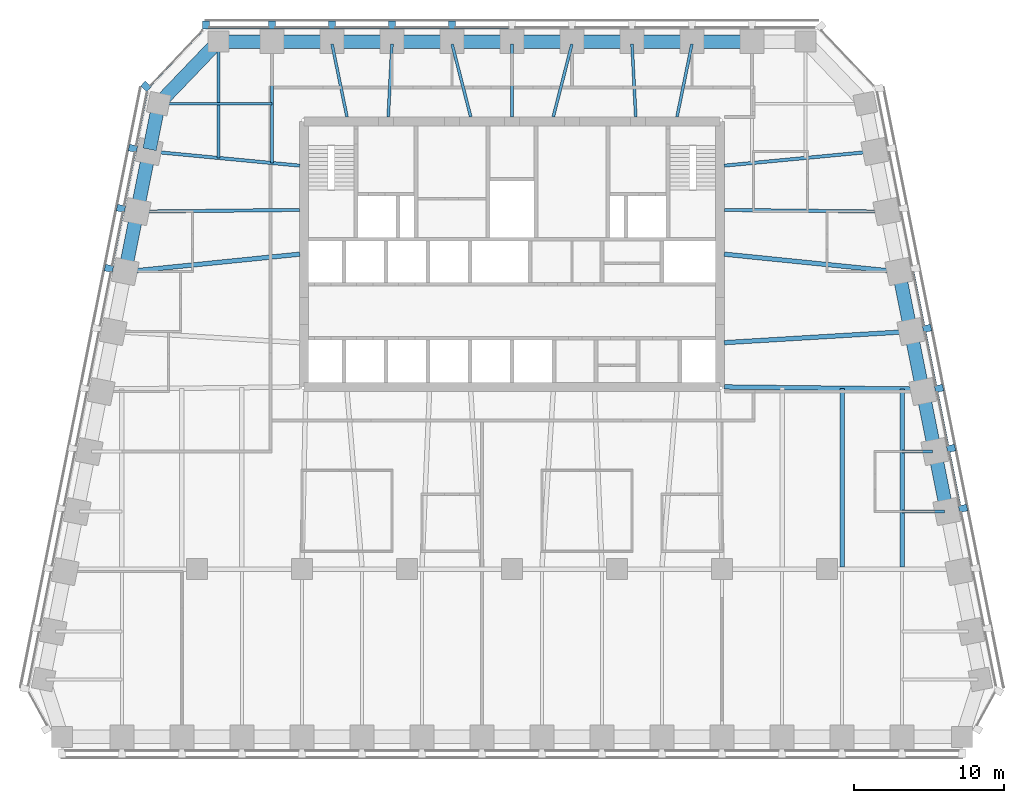
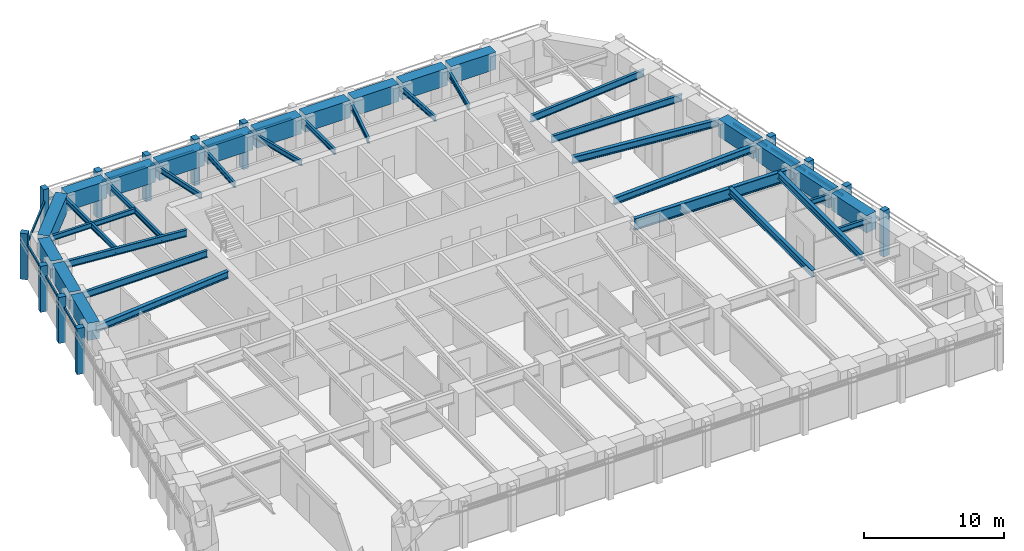
# One storey, part 3 of 10: 39 beams, 26 members, 4 elements without a shape of their own.
"""IFC4 building model written with IfcOpenShell, lengths in metres."""

from ifc_helpers import new_model, si_unit, direction, frame, origin, origin_2d, place, context, subcontext, project, spatial, rectangle, i_section, extrude, material, material_profile, profile_set, type_object, element, aggregate, save


model = new_model("IFC4")

# Units and contexts
model_context = context("Model", 3, precision=1e-05, world=origin(), true_north=direction((0.0, 1.0)))
body_context = subcontext(model_context, "Body", "Model", "MODEL_VIEW")
ifc_project = project(units=[si_unit("LENGTHUNIT", "METRE"), si_unit("AREAUNIT", "SQUARE_METRE"), si_unit("VOLUMEUNIT", "CUBIC_METRE"), si_unit("PLANEANGLEUNIT", "RADIAN"), si_unit("MASSUNIT", "GRAM", prefix="KILO")], contexts=[model_context])

# Site, building, storey
site_placement = place(None, origin())
site = spatial("IfcSite", under=ifc_project, at=site_placement, CompositionType="ELEMENT")
building_placement = place(site_placement, origin())
building = spatial("IfcBuilding", under=site, at=building_placement, Name="Isbrekke Arena Tower", CompositionType="ELEMENT")
storey_placement = place(building_placement, frame((0.0, 0.0, 226.0)))
storey = spatial("IfcBuildingStorey", under=building, at=storey_placement, Name="L52", CompositionType="ELEMENT", Elevation=226.0)

# Beams
ifc_material_1 = material(Name="Steel S355", Category="steel")
ifc_material_profile_1 = material_profile(ifc_material_1, i_section(OverallWidth=0.219970703125, OverallDepth=0.60009765625, WebThickness=0.011962890625, FlangeThickness=0.01904296875, FilletRadius=0.02392578125, at=origin_2d()), Name="IPE 600")
ifc_profile_set_1 = profile_set([ifc_material_profile_1], Name="Steel S355")
beam_type_1 = type_object("IfcBeamType", Name="B1 IPE 600", PredefinedType="BEAM", material=ifc_profile_set_1)
beam_1_placement = place(storey_placement, frame((24.83984375, 17.838134765625, 3.550048828125), z_axis=(-0.999945299061, 0.010459392202, 0.0), x_axis=(-0.010459392202, -0.999945299061, 0.0)))
element("IfcBeam", 1, at=beam_1_placement, inside=storey, type_object=beam_type_1, Name="B1 beam E-E09 L52", PredefinedType="BEAM", context=body_context, shape_type="SweptSolid", body=[
    extrude(i_section(OverallWidth=0.219970703125, OverallDepth=0.60009765625, WebThickness=0.011962890625, FlangeThickness=0.01904296875, FilletRadius=0.02392578125, at=origin_2d()), origin(), (0.0, 0.0, 1.0), 10.6904296875),
])
for number, where, z_axis, x_axis, name in (
    (2, (24.03076171875, 21.837158203125, 3.550048828125), (-0.99553133081, -0.094431823952, 0.0), (0.094431823952, -0.99553133081, 0.0), "B1 beam E-E10 L52"),
    (3, (-24.03076171875, 21.837158203125, 3.550048828125), (0.99553133081, -0.094431823952, 0.0), (0.094431823952, 0.99553133081, 0.0), "B1 beam E-W02 L52"),
):
    element("IfcBeam", number, at=place(storey_placement, frame(where, z_axis=z_axis, x_axis=x_axis)), inside=storey, type_object=beam_type_1, Name=name, PredefinedType="BEAM", context=body_context, shape_type="SweptSolid", body=[
        extrude(i_section(OverallWidth=0.219970703125, OverallDepth=0.60009765625, WebThickness=0.011962890625, FlangeThickness=0.01904296875, FilletRadius=0.02392578125, at=origin_2d()), origin(), (0.0, 0.0, 1.0), 9.92529296875),
    ])
beam_2_placement = place(storey_placement, frame((-24.83984375, 17.838134765625, 3.550048828125), z_axis=(0.999945299061, 0.010459392202, 0.0), x_axis=(-0.010459392202, 0.999945299061, 0.0)))
element("IfcBeam", 4, at=beam_2_placement, inside=storey, type_object=beam_type_1, Name="B1 beam E-W03 L52", PredefinedType="BEAM", context=body_context, shape_type="SweptSolid", body=[
    extrude(i_section(OverallWidth=0.219970703125, OverallDepth=0.60009765625, WebThickness=0.011962890625, FlangeThickness=0.01904296875, FilletRadius=0.02392578125, at=origin_2d()), origin(), (0.0, 0.0, 1.0), 10.6904296875),
])
ifc_material_2 = material(Name="Steel S355", Category="steel")
ifc_material_profile_2 = material_profile(ifc_material_2, i_section(OverallWidth=0.18994140625, OverallDepth=0.449951171875, WebThickness=0.009521484375, FlangeThickness=0.0146484375, FilletRadius=0.02099609375, at=origin_2d()), Name="IPE 450")
ifc_profile_set_2 = profile_set([ifc_material_profile_2], Name="Steel S355")
beam_type_2 = type_object("IfcBeamType", Name="B2 IPE 450", PredefinedType="BEAM", material=ifc_profile_set_2)
beam_3_placement = place(storey_placement, frame((28.841064453125, -2.161865234375, 3.625), z_axis=(-1.0, 0.0, 0.0), x_axis=(0.0, -1.0, 0.0)))
element("IfcBeam", 5, at=beam_3_placement, inside=storey, type_object=beam_type_2, Name="B2 beam E-E04 L52", PredefinedType="BEAM", context=body_context, shape_type="SweptSolid", body=[
    extrude(i_section(OverallWidth=0.18994140625, OverallDepth=0.449951171875, WebThickness=0.009521484375, FlangeThickness=0.0146484375, FilletRadius=0.02099609375, at=origin_2d()), origin(), (0.0, 0.0, 1.0), 2.841064453125),
])
beam_4_placement = place(storey_placement, frame((28.041015625, 1.838134765625, 3.625), z_axis=(-1.0, 0.0, 0.0), x_axis=(0.0, -1.0, 0.0)))
element("IfcBeam", 6, at=beam_4_placement, inside=storey, type_object=beam_type_2, Name="B2 beam E-E05 L52", PredefinedType="BEAM", context=body_context, shape_type="SweptSolid", body=[
    extrude(i_section(OverallWidth=0.18994140625, OverallDepth=0.449951171875, WebThickness=0.009521484375, FlangeThickness=0.0146484375, FilletRadius=0.02099609375, at=origin_2d()), origin(), (0.0, 0.0, 1.0), 2.041015625),
])
beam_5_placement = place(storey_placement, frame((-23.40283203125, 25.029296875, 3.625), z_axis=(1.0, 0.0, 0.0), x_axis=(0.0, 1.0, 0.0)))
element("IfcBeam", 7, at=beam_5_placement, inside=storey, type_object=beam_type_2, Name="B2 beam E-W01 L52", PredefinedType="BEAM", context=body_context, shape_type="SweptSolid", body=[
    extrude(i_section(OverallWidth=0.18994140625, OverallDepth=0.449951171875, WebThickness=0.009521484375, FlangeThickness=0.0146484375, FilletRadius=0.02099609375, at=origin_2d()), origin(), (0.0, 0.0, 1.0), 7.40283203125),
])
ifc_material_3 = material(Name="Steel S355", Category="steel")
ifc_material_profile_3 = material_profile(ifc_material_3, i_section(OverallWidth=0.18994140625, OverallDepth=0.449951171875, WebThickness=0.009521484375, FlangeThickness=0.0146484375, FilletRadius=0.02099609375, at=origin_2d()), Name="IPE 450")
ifc_profile_set_3 = profile_set([ifc_material_profile_3], Name="Steel S355")
beam_type_3 = type_object("IfcBeamType", Name="B3 IPE 450", PredefinedType="BEAM", material=ifc_profile_set_3)
beam_6_placement = place(storey_placement, frame((-16.0, 29.02490234375, 3.625), z_axis=(0.0, -1.0, 0.0), x_axis=(1.0, 0.0, 0.0)))
element("IfcBeam", 8, at=beam_6_placement, inside=storey, type_object=beam_type_3, Name="B3 beam N-N10 L52", PredefinedType="BEAM", context=body_context, shape_type="SweptSolid", body=[
    extrude(i_section(OverallWidth=0.18994140625, OverallDepth=0.449951171875, WebThickness=0.009521484375, FlangeThickness=0.0146484375, FilletRadius=0.02099609375, at=origin_2d()), origin(), (0.0, 0.0, 1.0), 7.949462890625),
])
beam_7_placement = place(storey_placement, frame((-19.574951171875, 29.02490234375, 3.625), z_axis=(0.0, -1.0, 0.0), x_axis=(1.0, 0.0, 0.0)))
element("IfcBeam", 9, at=beam_7_placement, inside=storey, type_object=beam_type_3, Name="B3 beam N-N11 L52", PredefinedType="BEAM", context=body_context, shape_type="SweptSolid", body=[
    extrude(i_section(OverallWidth=0.18994140625, OverallDepth=0.449951171875, WebThickness=0.009521484375, FlangeThickness=0.0146484375, FilletRadius=0.02099609375, at=origin_2d()), origin(), (0.0, 0.0, 1.0), 7.6103515625),
])
beam_8_placement = place(storey_placement, frame((11.99609375, 29.00634765625, 3.625), z_axis=(-0.200924755878, -0.979606677435, 0.0), x_axis=(0.979606677435, -0.200924755878, 0.0)))
element("IfcBeam", 10, at=beam_8_placement, inside=storey, type_object=beam_type_3, Name="B3 beam N-N03 L52", PredefinedType="BEAM", context=body_context, shape_type="SweptSolid", body=[
    extrude(i_section(OverallWidth=0.18994140625, OverallDepth=0.449951171875, WebThickness=0.009521484375, FlangeThickness=0.0146484375, FilletRadius=0.02099609375, at=origin_2d()), origin(), (0.0, 0.0, 1.0), 4.95751953125),
])
beam_9_placement = place(storey_placement, frame((8.000244140625, 29.02001953125, 3.625), z_axis=(0.051216032312, -0.998687597817, 0.0), x_axis=(0.998687597817, 0.051216032312, 0.0)))
element("IfcBeam", 11, at=beam_9_placement, inside=storey, type_object=beam_type_3, Name="B3 beam N-N04 L52", PredefinedType="BEAM", context=body_context, shape_type="SweptSolid", body=[
    extrude(i_section(OverallWidth=0.18994140625, OverallDepth=0.449951171875, WebThickness=0.009521484375, FlangeThickness=0.0146484375, FilletRadius=0.02099609375, at=origin_2d()), origin(), (0.0, 0.0, 1.0), 4.87646484375),
])
beam_10_placement = place(storey_placement, frame((3.994140625, 29.002197265625, 3.625), z_axis=(-0.248368314686, -0.968665670012, 0.0), x_axis=(0.968665670012, -0.248368314686, 0.0)))
element("IfcBeam", 12, at=beam_10_placement, inside=storey, type_object=beam_type_3, Name="B3 beam N-N05 L52", PredefinedType="BEAM", context=body_context, shape_type="SweptSolid", body=[
    extrude(i_section(OverallWidth=0.18994140625, OverallDepth=0.449951171875, WebThickness=0.009521484375, FlangeThickness=0.0146484375, FilletRadius=0.02099609375, at=origin_2d()), origin(), (0.0, 0.0, 1.0), 5.00927734375),
])
beam_11_placement = place(storey_placement, frame((0.0, 29.02490234375, 3.625), z_axis=(0.0, -1.0, 0.0), x_axis=(1.0, 0.0, 0.0)))
element("IfcBeam", 13, at=beam_11_placement, inside=storey, type_object=beam_type_3, Name="B3 beam N-N06 L52", PredefinedType="BEAM", context=body_context, shape_type="SweptSolid", body=[
    extrude(i_section(OverallWidth=0.18994140625, OverallDepth=0.449951171875, WebThickness=0.009521484375, FlangeThickness=0.0146484375, FilletRadius=0.02099609375, at=origin_2d()), origin(), (0.0, 0.0, 1.0), 4.875),
])
beam_12_placement = place(storey_placement, frame((-3.994140625, 29.002197265625, 3.625), z_axis=(0.248368314686, -0.968665670012, 0.0), x_axis=(0.968665670012, 0.248368314686, 0.0)))
element("IfcBeam", 14, at=beam_12_placement, inside=storey, type_object=beam_type_3, Name="B3 beam N-N07 L52", PredefinedType="BEAM", context=body_context, shape_type="SweptSolid", body=[
    extrude(i_section(OverallWidth=0.18994140625, OverallDepth=0.449951171875, WebThickness=0.009521484375, FlangeThickness=0.0146484375, FilletRadius=0.02099609375, at=origin_2d()), origin(), (0.0, 0.0, 1.0), 5.00927734375),
])
beam_13_placement = place(storey_placement, frame((-8.000244140625, 29.02001953125, 3.625), z_axis=(-0.051216032312, -0.998687597817, 0.0), x_axis=(0.998687597817, -0.051216032312, 0.0)))
element("IfcBeam", 15, at=beam_13_placement, inside=storey, type_object=beam_type_3, Name="B3 beam N-N08 L52", PredefinedType="BEAM", context=body_context, shape_type="SweptSolid", body=[
    extrude(i_section(OverallWidth=0.18994140625, OverallDepth=0.449951171875, WebThickness=0.009521484375, FlangeThickness=0.0146484375, FilletRadius=0.02099609375, at=origin_2d()), origin(), (0.0, 0.0, 1.0), 4.87646484375),
])
beam_14_placement = place(storey_placement, frame((-11.99609375, 29.00634765625, 3.625), z_axis=(0.200924755878, -0.979606677435, 0.0), x_axis=(0.979606677435, 0.200924755878, 0.0)))
element("IfcBeam", 16, at=beam_14_placement, inside=storey, type_object=beam_type_3, Name="B3 beam N-N09 L52", PredefinedType="BEAM", context=body_context, shape_type="SweptSolid", body=[
    extrude(i_section(OverallWidth=0.18994140625, OverallDepth=0.449951171875, WebThickness=0.009521484375, FlangeThickness=0.0146484375, FilletRadius=0.02099609375, at=origin_2d()), origin(), (0.0, 0.0, 1.0), 4.95751953125),
])
ifc_material_4 = material(Name="Steel S355", Category="steel")
ifc_material_profile_4 = material_profile(ifc_material_4, i_section(OverallWidth=0.300048828125, OverallDepth=0.60009765625, WebThickness=0.015380859375, FlangeThickness=0.030029296875, FilletRadius=0.027099609375, at=origin_2d()), Name="HEB 600")
ifc_profile_set_4 = profile_set([ifc_material_profile_4], Name="Steel S355")
beam_type_4 = type_object("IfcBeamType", Name="B7 HEB 600", PredefinedType="BEAM", material=ifc_profile_set_4)
beam_15_placement = place(storey_placement, frame((22.0, -5.84912109375, 3.550048828125), z_axis=(0.0, 1.0, 0.0), x_axis=(-1.0, 0.0, 0.0)))
element("IfcBeam", 17, at=beam_15_placement, inside=storey, type_object=beam_type_4, Name="B7 beam C-M13 L52", PredefinedType="BEAM", context=body_context, shape_type="SweptSolid", body=[
    extrude(i_section(OverallWidth=0.300048828125, OverallDepth=0.60009765625, WebThickness=0.015380859375, FlangeThickness=0.030029296875, FilletRadius=0.027099609375, at=origin_2d()), origin(), (0.0, 0.0, 1.0), 11.91015625),
])
beam_16_placement = place(storey_placement, frame((26.0, -5.84912109375, 3.550048828125), z_axis=(0.0, 1.0, 0.0), x_axis=(-1.0, 0.0, 0.0)))
element("IfcBeam", 18, at=beam_16_placement, inside=storey, type_object=beam_type_4, Name="B7 beam C-M14 L52", PredefinedType="BEAM", context=body_context, shape_type="SweptSolid", body=[
    extrude(i_section(OverallWidth=0.300048828125, OverallDepth=0.60009765625, WebThickness=0.015380859375, FlangeThickness=0.030029296875, FilletRadius=0.027099609375, at=origin_2d()), origin(), (0.0, 0.0, 1.0), 11.864990234375),
])
beam_17_placement = place(storey_placement, frame((26.43212890625, 9.837646484375, 3.550048828125), z_axis=(-0.998201854902, -0.059942112659, 0.0), x_axis=(0.059942112659, -0.998201854902, 0.0)))
element("IfcBeam", 19, at=beam_17_placement, inside=storey, type_object=beam_type_4, Name="B7 beam E-E07 L52", PredefinedType="BEAM", context=body_context, shape_type="SweptSolid", body=[
    extrude(i_section(OverallWidth=0.300048828125, OverallDepth=0.60009765625, WebThickness=0.015380859375, FlangeThickness=0.030029296875, FilletRadius=0.027099609375, at=origin_2d()), origin(), (0.0, 0.0, 1.0), 12.304443359375),
])
for number, where, z_axis, x_axis, name in (
    (20, (25.6259765625, 13.83984375, 3.550048828125), (-0.994928891111, 0.100580821396, 0.0), (-0.100580821396, -0.994928891111, 0.0), "B7 beam E-E08 L52"),
    (21, (-25.6259765625, 13.83984375, 3.550048828125), (0.994928891111, 0.100580821396, 0.0), (-0.100580821396, 0.994928891111, 0.0), "B7 beam E-W04 L52"),
):
    element("IfcBeam", number, at=place(storey_placement, frame(where, z_axis=z_axis, x_axis=x_axis)), inside=storey, type_object=beam_type_4, Name=name, PredefinedType="BEAM", context=body_context, shape_type="SweptSolid", body=[
        extrude(i_section(OverallWidth=0.300048828125, OverallDepth=0.60009765625, WebThickness=0.015380859375, FlangeThickness=0.030029296875, FilletRadius=0.027099609375, at=origin_2d()), origin(), (0.0, 0.0, 1.0), 11.53466796875),
    ])

# Curtain wall, members
ifc_material_5 = material(Name="Glazed aluminium curtain wall", Category="aluminium")
curtain_wall_type = type_object("IfcCurtainWallType", Name="CWH TOWER CURTAIN WALL HIGH ZONE", PredefinedType="USERDEFINED", material=ifc_material_5)
curtain_wall_1_placement = place(storey_placement, origin())
curtain_wall_1 = element("IfcCurtainWall", 22, at=curtain_wall_1_placement, inside=storey, type_object=curtain_wall_type, Name="CWH curtain wall L52-E", ObjectType="TOWER CURTAIN WALL HIGH ZONE", PredefinedType="USERDEFINED")
ifc_material_6 = material(Name="Aluminium mullion, pale brick slip cladding", Category="masonry")
ifc_material_profile_5 = material_profile(ifc_material_6, rectangle(XDim=0.449951171875, YDim=0.550048828125, at=origin_2d()), Name="PIER 450X550")
ifc_profile_set_5 = profile_set([ifc_material_profile_5], Name="Aluminium mullion, pale brick slip cladding")
member_type_1 = type_object("IfcMemberType", Name="CWH-M PIER MULLION 450 x 550", PredefinedType="MULLION", material=ifc_profile_set_5)
member_1_placement = place(storey_placement, frame((30.069580078125, -1.946044921875, 0.0), z_axis=(0.0, 0.0, 1.0), x_axis=(-0.196116135138, 0.980580675691, 0.0)))
member_1 = element("IfcMember", 23, at=member_1_placement, type_object=member_type_1, Name="CWH-M mullion 3", PredefinedType="MULLION", context=body_context, shape_type="SweptSolid", body=[
    extrude(rectangle(XDim=0.449951171875, YDim=0.550048828125, at=origin_2d()), origin(), (0.0, 0.0, 1.0), 4.0),
])
member_2_placement = place(storey_placement, frame((29.269775390625, 2.053955078125, 0.0), z_axis=(0.0, 0.0, 1.0), x_axis=(-0.196116135138, 0.980580675691, 0.0)))
member_2 = element("IfcMember", 24, at=member_2_placement, type_object=member_type_1, Name="CWH-M mullion 4", PredefinedType="MULLION", context=body_context, shape_type="SweptSolid", body=[
    extrude(rectangle(XDim=0.449951171875, YDim=0.550048828125, at=origin_2d()), origin(), (0.0, 0.0, 1.0), 4.0),
])
member_3_placement = place(storey_placement, frame((28.4697265625, 6.053955078125, 0.0), z_axis=(0.0, 0.0, 1.0), x_axis=(-0.196116135138, 0.980580675691, 0.0)))
member_3 = element("IfcMember", 25, at=member_3_placement, type_object=member_type_1, Name="CWH-M mullion 5", PredefinedType="MULLION", context=body_context, shape_type="SweptSolid", body=[
    extrude(rectangle(XDim=0.449951171875, YDim=0.550048828125, at=origin_2d()), origin(), (0.0, 0.0, 1.0), 4.0),
])
member_4_placement = place(storey_placement, frame((27.669677734375, 10.053955078125, 0.0), z_axis=(0.0, 0.0, 1.0), x_axis=(-0.196116135138, 0.980580675691, 0.0)))
member_4 = element("IfcMember", 26, at=member_4_placement, type_object=member_type_1, Name="CWH-M mullion 6", PredefinedType="MULLION", context=body_context, shape_type="SweptSolid", body=[
    extrude(rectangle(XDim=0.449951171875, YDim=0.550048828125, at=origin_2d()), origin(), (0.0, 0.0, 1.0), 4.0),
])

curtain_wall_2_placement = place(storey_placement, origin())
curtain_wall_2 = element("IfcCurtainWall", 27, at=curtain_wall_2_placement, inside=storey, type_object=curtain_wall_type, Name="CWH curtain wall L52-N", ObjectType="TOWER CURTAIN WALL HIGH ZONE", PredefinedType="USERDEFINED")
member_5_placement = place(storey_placement, frame((-4.0, 30.27490234375, 0.0), z_axis=(0.0, 0.0, 1.0), x_axis=(-1.0, 0.0, 0.0)))
member_5 = element("IfcMember", 28, at=member_5_placement, type_object=member_type_1, Name="CWH-M mullion 6", PredefinedType="MULLION", context=body_context, shape_type="SweptSolid", body=[
    extrude(rectangle(XDim=0.449951171875, YDim=0.550048828125, at=origin_2d()), origin(), (0.0, 0.0, 1.0), 4.0),
])
member_6_placement = place(storey_placement, frame((-8.0, 30.27490234375, 0.0), z_axis=(0.0, 0.0, 1.0), x_axis=(-1.0, 0.0, 0.0)))
member_6 = element("IfcMember", 29, at=member_6_placement, type_object=member_type_1, Name="CWH-M mullion 7", PredefinedType="MULLION", context=body_context, shape_type="SweptSolid", body=[
    extrude(rectangle(XDim=0.449951171875, YDim=0.550048828125, at=origin_2d()), origin(), (0.0, 0.0, 1.0), 4.0),
])
member_7_placement = place(storey_placement, frame((-12.0, 30.27490234375, 0.0), z_axis=(0.0, 0.0, 1.0), x_axis=(-1.0, 0.0, 0.0)))
member_7 = element("IfcMember", 30, at=member_7_placement, type_object=member_type_1, Name="CWH-M mullion 8", PredefinedType="MULLION", context=body_context, shape_type="SweptSolid", body=[
    extrude(rectangle(XDim=0.449951171875, YDim=0.550048828125, at=origin_2d()), origin(), (0.0, 0.0, 1.0), 4.0),
])
member_8_placement = place(storey_placement, frame((-16.0, 30.27490234375, 0.0), z_axis=(0.0, 0.0, 1.0), x_axis=(-1.0, 0.0, 0.0)))
member_8 = element("IfcMember", 31, at=member_8_placement, type_object=member_type_1, Name="CWH-M mullion 9", PredefinedType="MULLION", context=body_context, shape_type="SweptSolid", body=[
    extrude(rectangle(XDim=0.449951171875, YDim=0.550048828125, at=origin_2d()), origin(), (0.0, 0.0, 1.0), 4.0),
])
member_9_placement = place(storey_placement, frame((-20.39990234375, 30.27490234375, 0.0), z_axis=(0.0, 0.0, 1.0), x_axis=(-1.0, 0.0, 0.0)))
member_9 = element("IfcMember", 32, at=member_9_placement, type_object=member_type_1, Name="CWH-M mullion 10", PredefinedType="MULLION", context=body_context, shape_type="SweptSolid", body=[
    extrude(rectangle(XDim=0.449951171875, YDim=0.550048828125, at=origin_2d()), origin(), (0.0, 0.0, 1.0), 4.0),
])

# Curtain wall, member
curtain_wall_3_placement = place(storey_placement, origin())
curtain_wall_3 = element("IfcCurtainWall", 33, at=curtain_wall_3_placement, inside=storey, type_object=curtain_wall_type, Name="CWH curtain wall L52-NW", ObjectType="TOWER CURTAIN WALL HIGH ZONE", PredefinedType="USERDEFINED")
member_10_placement = place(storey_placement, frame((-24.3994140625, 26.189453125, 0.0), z_axis=(0.0, 0.0, 1.0), x_axis=(-0.68874946192, -0.72499943359, 0.0)))
member_10 = element("IfcMember", 34, at=member_10_placement, type_object=member_type_1, Name="CWH-M mullion 1", PredefinedType="MULLION", context=body_context, shape_type="SweptSolid", body=[
    extrude(rectangle(XDim=0.449951171875, YDim=0.550048828125, at=origin_2d()), origin(), (0.0, 0.0, 1.0), 4.0),
])

# Curtain wall, members
curtain_wall_4_placement = place(storey_placement, origin())
curtain_wall_4 = element("IfcCurtainWall", 35, at=curtain_wall_4_placement, inside=storey, type_object=curtain_wall_type, Name="CWH curtain wall L52-W", ObjectType="TOWER CURTAIN WALL HIGH ZONE", PredefinedType="USERDEFINED")
member_11_placement = place(storey_placement, frame((-25.269775390625, 22.053955078125, 0.0), z_axis=(0.0, 0.0, 1.0), x_axis=(-0.196116135138, -0.980580675691, 0.0)))
member_11 = element("IfcMember", 36, at=member_11_placement, type_object=member_type_1, Name="CWH-M mullion 1", PredefinedType="MULLION", context=body_context, shape_type="SweptSolid", body=[
    extrude(rectangle(XDim=0.449951171875, YDim=0.550048828125, at=origin_2d()), origin(), (0.0, 0.0, 1.0), 4.0),
])
member_12_placement = place(storey_placement, frame((-26.069580078125, 18.053955078125, 0.0), z_axis=(0.0, 0.0, 1.0), x_axis=(-0.196116135138, -0.980580675691, 0.0)))
member_12 = element("IfcMember", 37, at=member_12_placement, type_object=member_type_1, Name="CWH-M mullion 2", PredefinedType="MULLION", context=body_context, shape_type="SweptSolid", body=[
    extrude(rectangle(XDim=0.449951171875, YDim=0.550048828125, at=origin_2d()), origin(), (0.0, 0.0, 1.0), 4.0),
])
member_13_placement = place(storey_placement, frame((-26.86962890625, 14.053955078125, 0.0), z_axis=(0.0, 0.0, 1.0), x_axis=(-0.196116135138, -0.980580675691, 0.0)))
member_13 = element("IfcMember", 38, at=member_13_placement, type_object=member_type_1, Name="CWH-M mullion 3", PredefinedType="MULLION", context=body_context, shape_type="SweptSolid", body=[
    extrude(rectangle(XDim=0.449951171875, YDim=0.550048828125, at=origin_2d()), origin(), (0.0, 0.0, 1.0), 4.0),
])

# Member
ifc_material_7 = material(Name="Aluminium transom", Category="aluminium")
ifc_material_profile_6 = material_profile(ifc_material_7, rectangle(XDim=0.1201171875, YDim=0.199951171875, at=origin_2d()), Name="TRANSOM 120X200")
ifc_profile_set_6 = profile_set([ifc_material_profile_6], Name="Aluminium transom")
member_type_2 = type_object("IfcMemberType", Name="CWH-T TRANSOM 120 x 200", PredefinedType="USERDEFINED", material=ifc_profile_set_6)
member_14_placement = place(storey_placement, frame((29.85400390625, -1.759765625, 3.0), z_axis=(-0.196154943734, 0.980572913173, 0.0), x_axis=(-0.980572913173, -0.196154943734, 0.0)))
member_14 = element("IfcMember", 39, at=member_14_placement, type_object=member_type_2, Name="CWH-T transom 4", ObjectType="TRANSOM", PredefinedType="USERDEFINED", context=body_context, shape_type="SweptSolid", body=[
    extrude(rectangle(XDim=0.1201171875, YDim=0.199951171875, at=origin_2d()), origin(), (0.0, 0.0, 1.0), 3.62939453125),
])

member_15_placement = place(storey_placement, frame((29.053955078125, 2.240234375, 3.0), z_axis=(-0.196090262229, 0.980585849918, 0.0), x_axis=(-0.980585849918, -0.196090262229, 0.0)))
member_15 = element("IfcMember", 40, at=member_15_placement, type_object=member_type_2, Name="CWH-T transom 5", ObjectType="TRANSOM", PredefinedType="USERDEFINED", context=body_context, shape_type="SweptSolid", body=[
    extrude(rectangle(XDim=0.1201171875, YDim=0.199951171875, at=origin_2d()), origin(), (0.0, 0.0, 1.0), 3.62939453125),
])

member_16_placement = place(storey_placement, frame((28.25390625, 6.240234375, 3.0), z_axis=(-0.196090262229, 0.980585849918, 0.0), x_axis=(-0.980585849918, -0.196090262229, 0.0)))
member_16 = element("IfcMember", 41, at=member_16_placement, type_object=member_type_2, Name="CWH-T transom 6", ObjectType="TRANSOM", PredefinedType="USERDEFINED", context=body_context, shape_type="SweptSolid", body=[
    extrude(rectangle(XDim=0.1201171875, YDim=0.199951171875, at=origin_2d()), origin(), (0.0, 0.0, 1.0), 3.62939453125),
])

member_17_placement = place(storey_placement, frame((27.453857421875, 10.240234375, 3.0), z_axis=(-0.196090262229, 0.980585849918, 0.0), x_axis=(-0.980585849918, -0.196090262229, 0.0)))
member_17 = element("IfcMember", 42, at=member_17_placement, type_object=member_type_2, Name="CWH-T transom 7", ObjectType="TRANSOM", PredefinedType="USERDEFINED", context=body_context, shape_type="SweptSolid", body=[
    extrude(rectangle(XDim=0.1201171875, YDim=0.199951171875, at=origin_2d()), origin(), (0.0, 0.0, 1.0), 3.62939453125),
])

aggregate(curtain_wall_1, [member_1, member_2, member_3, member_4, member_14, member_15, member_16, member_17])

member_18_placement = place(storey_placement, frame((-0.22509765625, 30.10009765625, 3.0), z_axis=(-1.0, 0.0, 0.0), x_axis=(0.0, -1.0, 0.0)))
member_18 = element("IfcMember", 43, at=member_18_placement, type_object=member_type_2, Name="CWH-T transom 6", ObjectType="TRANSOM", PredefinedType="USERDEFINED", context=body_context, shape_type="SweptSolid", body=[
    extrude(rectangle(XDim=0.1201171875, YDim=0.199951171875, at=origin_2d()), origin(), (0.0, 0.0, 1.0), 3.5498046875),
])

member_19_placement = place(storey_placement, frame((-4.22509765625, 30.10009765625, 3.0), z_axis=(-1.0, 0.0, 0.0), x_axis=(0.0, -1.0, 0.0)))
member_19 = element("IfcMember", 44, at=member_19_placement, type_object=member_type_2, Name="CWH-T transom 7", ObjectType="TRANSOM", PredefinedType="USERDEFINED", context=body_context, shape_type="SweptSolid", body=[
    extrude(rectangle(XDim=0.1201171875, YDim=0.199951171875, at=origin_2d()), origin(), (0.0, 0.0, 1.0), 3.5498046875),
])

member_20_placement = place(storey_placement, frame((-8.22509765625, 30.10009765625, 3.0), z_axis=(-1.0, 0.0, 0.0), x_axis=(0.0, -1.0, 0.0)))
member_20 = element("IfcMember", 45, at=member_20_placement, type_object=member_type_2, Name="CWH-T transom 8", ObjectType="TRANSOM", PredefinedType="USERDEFINED", context=body_context, shape_type="SweptSolid", body=[
    extrude(rectangle(XDim=0.1201171875, YDim=0.199951171875, at=origin_2d()), origin(), (0.0, 0.0, 1.0), 3.5498046875),
])

member_21_placement = place(storey_placement, frame((-12.22509765625, 30.10009765625, 3.0), z_axis=(-1.0, 0.0, 0.0), x_axis=(0.0, -1.0, 0.0)))
member_21 = element("IfcMember", 46, at=member_21_placement, type_object=member_type_2, Name="CWH-T transom 9", ObjectType="TRANSOM", PredefinedType="USERDEFINED", context=body_context, shape_type="SweptSolid", body=[
    extrude(rectangle(XDim=0.1201171875, YDim=0.199951171875, at=origin_2d()), origin(), (0.0, 0.0, 1.0), 3.5498046875),
])

member_22_placement = place(storey_placement, frame((-16.22509765625, 30.10009765625, 3.0), z_axis=(-1.0, 0.0, 0.0), x_axis=(0.0, -1.0, 0.0)))
member_22 = element("IfcMember", 47, at=member_22_placement, type_object=member_type_2, Name="CWH-T transom 10", ObjectType="TRANSOM", PredefinedType="USERDEFINED", context=body_context, shape_type="SweptSolid", body=[
    extrude(rectangle(XDim=0.1201171875, YDim=0.199951171875, at=origin_2d()), origin(), (0.0, 0.0, 1.0), 3.949951171875),
])

aggregate(curtain_wall_2, [member_5, member_6, member_7, member_8, member_9, member_18, member_19, member_20, member_21, member_22])

member_23_placement = place(storey_placement, frame((-20.62744140625, 29.90576171875, 3.0), z_axis=(-0.688734266994, -0.725013868466, 0.0), x_axis=(0.725013868466, -0.688734266994, 0.0)))
member_23 = element("IfcMember", 48, at=member_23_placement, type_object=member_type_2, Name="CWH-T transom 1", ObjectType="TRANSOM", PredefinedType="USERDEFINED", context=body_context, shape_type="SweptSolid", body=[
    extrude(rectangle(XDim=0.1201171875, YDim=0.199951171875, at=origin_2d()), origin(), (0.0, 0.0, 1.0), 5.067138671875),
])

aggregate(curtain_wall_3, [member_10, member_23])

member_24_placement = place(storey_placement, frame((-24.34228515625, 25.799072265625, 3.0), z_axis=(-0.196090262229, -0.980585849918, 0.0), x_axis=(0.980585849918, -0.196090262229, 0.0)))
member_24 = element("IfcMember", 49, at=member_24_placement, type_object=member_type_2, Name="CWH-T transom 1", ObjectType="TRANSOM", PredefinedType="USERDEFINED", context=body_context, shape_type="SweptSolid", body=[
    extrude(rectangle(XDim=0.1201171875, YDim=0.199951171875, at=origin_2d()), origin(), (0.0, 0.0, 1.0), 3.62939453125),
])

member_25_placement = place(storey_placement, frame((-25.14208984375, 21.799072265625, 3.0), z_axis=(-0.196154943734, -0.980572913173, 0.0), x_axis=(0.980572913173, -0.196154943734, 0.0)))
member_25 = element("IfcMember", 50, at=member_25_placement, type_object=member_type_2, Name="CWH-T transom 2", ObjectType="TRANSOM", PredefinedType="USERDEFINED", context=body_context, shape_type="SweptSolid", body=[
    extrude(rectangle(XDim=0.1201171875, YDim=0.199951171875, at=origin_2d()), origin(), (0.0, 0.0, 1.0), 3.62939453125),
])

member_26_placement = place(storey_placement, frame((-25.942138671875, 17.799072265625, 3.0), z_axis=(-0.196154943734, -0.980572913173, 0.0), x_axis=(0.980572913173, -0.196154943734, 0.0)))
member_26 = element("IfcMember", 51, at=member_26_placement, type_object=member_type_2, Name="CWH-T transom 3", ObjectType="TRANSOM", PredefinedType="USERDEFINED", context=body_context, shape_type="SweptSolid", body=[
    extrude(rectangle(XDim=0.1201171875, YDim=0.199951171875, at=origin_2d()), origin(), (0.0, 0.0, 1.0), 3.62939453125),
])

aggregate(curtain_wall_4, [member_11, member_12, member_13, member_24, member_25, member_26])

# Beams
ifc_material_8 = material(Name="Steel S355", Category="steel")
ifc_material_profile_7 = material_profile(ifc_material_8, i_section(OverallWidth=0.302001953125, OverallDepth=1.008056640625, WebThickness=0.02099609375, FlangeThickness=0.0400390625, FilletRadius=0.030029296875, at=origin_2d()), Name="HEM 1000")
ifc_profile_set_7 = profile_set([ifc_material_profile_7], Name="Steel S355")
beam_type_5 = type_object("IfcBeamType", Name="G2 HEM 1000", PredefinedType="BEAM", material=ifc_profile_set_7)
beam_18_placement = place(storey_placement, frame((14.14990234375, 6.14990234375, 3.345947265625), z_axis=(0.999935908299, -0.011321629528, 0.0), x_axis=(0.011321629528, 0.999935908299, 0.0)))
element("IfcBeam", 52, at=beam_18_placement, inside=storey, type_object=beam_type_5, Name="G2 beam G2-E L52", PredefinedType="BEAM", context=body_context, shape_type="SweptSolid", body=[
    extrude(i_section(OverallWidth=0.302001953125, OverallDepth=1.008056640625, WebThickness=0.02099609375, FlangeThickness=0.0400390625, FilletRadius=0.030029296875, at=origin_2d()), origin(), (0.0, 0.0, 1.0), 13.240234375),
])
ifc_material_9 = material(Name="Concrete B65 (C65/80)", Category="concrete")
ifc_material_profile_8 = material_profile(ifc_material_9, rectangle(XDim=0.89990234375, YDim=1.5, at=origin_2d()), Name="RC 900x1500")
ifc_profile_set_8 = profile_set([ifc_material_profile_8], Name="Concrete B65 (C65/80)")
beam_type_6 = type_object("IfcBeamType", Name="SB3 RC 900 x 1500", PredefinedType="SPANDREL", material=ifc_profile_set_8)
for number, where, z_axis, x_axis, name in (
    (53, (28.961669921875, -2.0146484375, 3.25), (-0.196128558387, 0.980578190959, 0.0), (-0.980578190959, -0.196128558387, 0.0), "SB3 spandrel E04-E05 L52"),
    (54, (28.16162109375, 1.9853515625, 3.25), (-0.196128558387, 0.980578190959, 0.0), (-0.980578190959, -0.196128558387, 0.0), "SB3 spandrel E05-E06 L52"),
    (55, (27.361572265625, 5.9853515625, 3.25), (-0.196128558387, 0.980578190959, 0.0), (-0.980578190959, -0.196128558387, 0.0), "SB3 spandrel E06-E07 L52"),
):
    element("IfcBeam", number, at=place(storey_placement, frame(where, z_axis=z_axis, x_axis=x_axis)), inside=storey, type_object=beam_type_6, Name=name, PredefinedType="SPANDREL", context=body_context, shape_type="SweptSolid", body=[
        extrude(rectangle(XDim=0.89990234375, YDim=1.5, at=origin_2d()), origin(), (0.0, 0.0, 1.0), 3.779296875),
    ])
beam_19_placement = place(storey_placement, frame((26.5615234375, 9.9853515625, 3.25), z_axis=(-0.1960664412, 0.980590613169, 0.0), x_axis=(-0.980590613169, -0.1960664412, 0.0)))
element("IfcBeam", 56, at=beam_19_placement, inside=storey, type_object=beam_type_6, Name="SB3 spandrel E07-E08 L52", PredefinedType="SPANDREL", context=body_context, shape_type="SweptSolid", body=[
    extrude(rectangle(XDim=0.89990234375, YDim=1.5, at=origin_2d()), origin(), (0.0, 0.0, 1.0), 3.779052734375),
])
for number, where, z_axis, x_axis, name in (
    (57, (15.85009765625, 29.175048828125, 3.25), (-1.0, 0.0, 0.0), (0.0, -1.0, 0.0), "SB3 spandrel N02-N03 L52"),
    (58, (11.85009765625, 29.175048828125, 3.25), (-1.0, 0.0, 0.0), (0.0, -1.0, 0.0), "SB3 spandrel N03-N04 L52"),
    (59, (7.85009765625, 29.175048828125, 3.25), (-1.0, 0.0, 0.0), (0.0, -1.0, 0.0), "SB3 spandrel N04-N05 L52"),
    (60, (3.85009765625, 29.175048828125, 3.25), (-1.0, 0.0, 0.0), (0.0, -1.0, 0.0), "SB3 spandrel N05-N06 L52"),
    (61, (-0.14990234375, 29.175048828125, 3.25), (-1.0, 0.0, 0.0), (0.0, -1.0, 0.0), "SB3 spandrel N06-N07 L52"),
    (62, (-4.14990234375, 29.175048828125, 3.25), (-1.0, 0.0, 0.0), (0.0, -1.0, 0.0), "SB3 spandrel N07-N08 L52"),
    (63, (-8.14990234375, 29.175048828125, 3.25), (-1.0, 0.0, 0.0), (0.0, -1.0, 0.0), "SB3 spandrel N08-N09 L52"),
    (64, (-12.14990234375, 29.175048828125, 3.25), (-1.0, 0.0, 0.0), (0.0, -1.0, 0.0), "SB3 spandrel N09-N10 L52"),
):
    element("IfcBeam", number, at=place(storey_placement, frame(where, z_axis=z_axis, x_axis=x_axis)), inside=storey, type_object=beam_type_6, Name=name, PredefinedType="SPANDREL", context=body_context, shape_type="SweptSolid", body=[
        extrude(rectangle(XDim=0.89990234375, YDim=1.5, at=origin_2d()), origin(), (0.0, 0.0, 1.0), 3.7001953125),
    ])
beam_20_placement = place(storey_placement, frame((-16.14990234375, 29.175048828125, 3.25), z_axis=(-1.0, 0.0, 0.0), x_axis=(0.0, -1.0, 0.0)))
element("IfcBeam", 65, at=beam_20_placement, inside=storey, type_object=beam_type_6, Name="SB3 spandrel N10-N11 L52", PredefinedType="SPANDREL", context=body_context, shape_type="SweptSolid", body=[
    extrude(rectangle(XDim=0.89990234375, YDim=1.5, at=origin_2d()), origin(), (0.0, 0.0, 1.0), 3.275146484375),
])
beam_21_placement = place(storey_placement, frame((-19.678955078125, 29.066650390625, 3.25), z_axis=(-0.692339547635, -0.721571861134, 0.0), x_axis=(0.721571861134, -0.692339547635, 0.0)))
element("IfcBeam", 66, at=beam_21_placement, inside=storey, type_object=beam_type_6, Name="SB3 spandrel N11-W01 L52", PredefinedType="SPANDREL", context=body_context, shape_type="SweptSolid", body=[
    extrude(rectangle(XDim=0.89990234375, YDim=1.5, at=origin_2d()), origin(), (0.0, 0.0, 1.0), 5.4453125),
])
beam_22_placement = place(storey_placement, frame((-23.582275390625, 24.882080078125, 3.25), z_axis=(-0.196116135138, -0.980580675691, 0.0), x_axis=(0.980580675691, -0.196116135138, 0.0)))
element("IfcBeam", 67, at=beam_22_placement, inside=storey, type_object=beam_type_6, Name="SB3 spandrel W01-W02 L52", PredefinedType="SPANDREL", context=body_context, shape_type="SweptSolid", body=[
    extrude(rectangle(XDim=0.89990234375, YDim=1.5, at=origin_2d()), origin(), (0.0, 0.0, 1.0), 2.9541015625),
])
for number, where, z_axis, x_axis, name in (
    (68, (-24.220458984375, 21.691162109375, 3.25), (-0.196128558387, -0.980578190959, 0.0), (0.980578190959, -0.196128558387, 0.0), "SB3 spandrel W02-W03 L52"),
    (69, (-25.0205078125, 17.691162109375, 3.25), (-0.196128558387, -0.980578190959, 0.0), (0.980578190959, -0.196128558387, 0.0), "SB3 spandrel W03-W04 L52"),
):
    element("IfcBeam", number, at=place(storey_placement, frame(where, z_axis=z_axis, x_axis=x_axis)), inside=storey, type_object=beam_type_6, Name=name, PredefinedType="SPANDREL", context=body_context, shape_type="SweptSolid", body=[
        extrude(rectangle(XDim=0.89990234375, YDim=1.5, at=origin_2d()), origin(), (0.0, 0.0, 1.0), 3.779296875),
    ])

save(model, "model.ifc")
